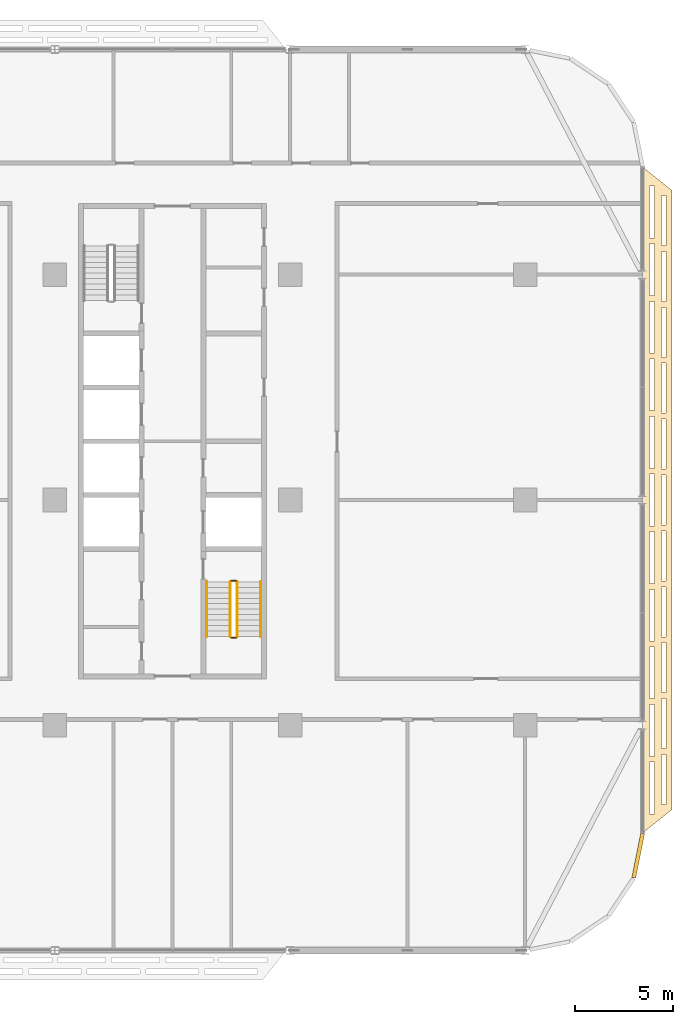
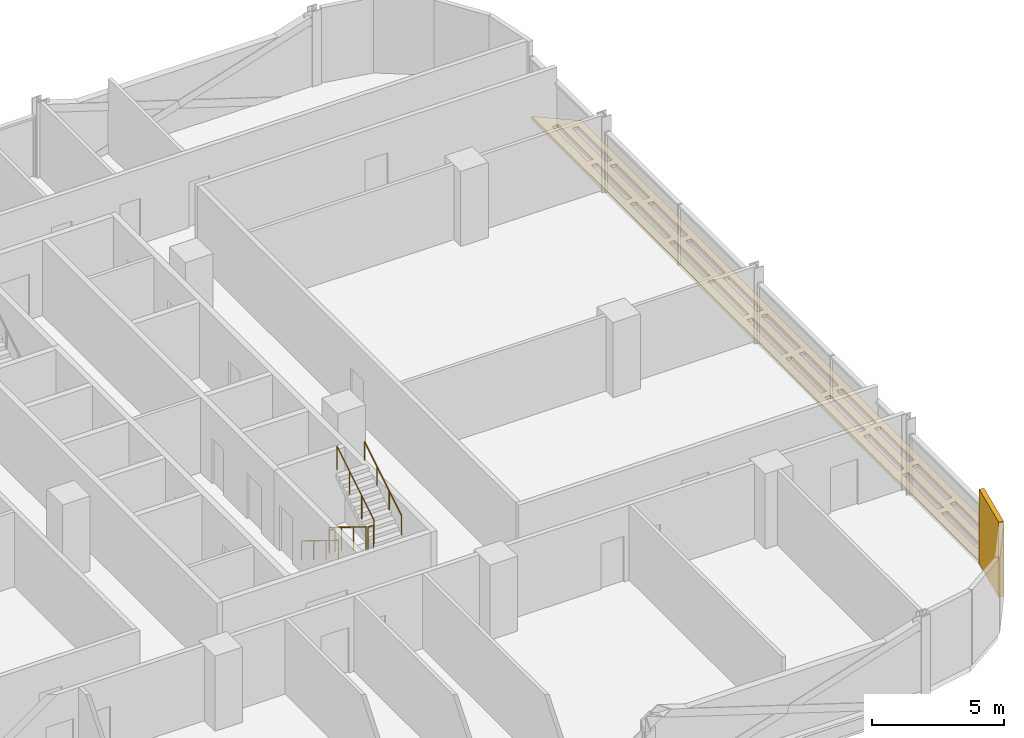
# One storey, part 26 of 27: 6 railings, 2 coverings.
"""IFC4 building model written with IfcOpenShell, lengths in metres."""

from ifc_helpers import new_model, si_unit, direction, frame, origin, origin_2d, place, context, subcontext, project, spatial, polyline, rectangle, circle, outline, extrude, material, layer, layer_set, type_object, element, save


model = new_model("IFC4")

# Units and contexts
model_context = context("Model", 3, precision=1e-05, world=origin(), true_north=direction((0.0, 1.0)))
body_context = subcontext(model_context, "Body", "Model", "MODEL_VIEW")
ifc_project = project(units=[si_unit("LENGTHUNIT", "METRE"), si_unit("AREAUNIT", "SQUARE_METRE"), si_unit("VOLUMEUNIT", "CUBIC_METRE"), si_unit("PLANEANGLEUNIT", "RADIAN"), si_unit("MASSUNIT", "GRAM", prefix="KILO")], contexts=[model_context])

# Site, building, storey
site_placement = place(None, origin())
site = spatial("IfcSite", under=ifc_project, at=site_placement, CompositionType="ELEMENT")
building_placement = place(site_placement, origin())
building = spatial("IfcBuilding", under=site, at=building_placement, Name="Mahtab Terrace Research Tower", CompositionType="ELEMENT")
storey_placement = place(building_placement, frame((0.0, 0.0, 178.199951171875)))
storey = spatial("IfcBuildingStorey", under=building, at=storey_placement, Name="L42", CompositionType="ELEMENT", Elevation=178.199951171875)

# Coverings
ifc_material_1 = material(Name="Black aluminium cladding panel", Category="aluminium")
ifc_layer_1 = layer(ifc_material_1, 0.199951171875)
ifc_layer_set_1 = layer_set([ifc_layer_1], Name="Black metal corner cladding 200")
covering_type_1 = type_object("IfcCoveringType", Name="Black metal corner cladding 200", PredefinedType="CLADDING", material=ifc_layer_set_1)
covering_1_placement = place(storey_placement, frame((47.771484375, -18.14794921875, 0.0), z_axis=(0.0, 0.0, 1.0), x_axis=(0.195212442692, 0.980760981187, 0.0)))
element("IfcCovering", 1, at=covering_1_placement, inside=storey, type_object=covering_type_1, Name="Corner cladding L42 33", PredefinedType="CLADDING", context=body_context, shape_type="SweptSolid", body=[
    extrude(rectangle(XDim=2.30126953125, YDim=0.199951171875, at=origin_2d()), origin(), (0.0, 0.0, 1.0), 3.4599609375),
])
ifc_material_2 = material(Name="Black anodised aluminium", Category="aluminium")
ifc_layer_2 = layer(ifc_material_2, 0.14990234375)
ifc_layer_set_2 = layer_set([ifc_layer_2], Name="Horizontal sunshade band")
covering_type_2 = type_object("IfcCoveringType", Name="Horizontal sunshade band", PredefinedType="CLADDING", material=ifc_layer_set_2)
covering_2_placement = place(storey_placement, frame((0.0, 0.0, -0.14990234375)))
element("IfcCovering", 2, at=covering_2_placement, inside=storey, type_object=covering_type_2, Name="Sunshade band L42 34", PredefinedType="CLADDING", context=body_context, shape_type="SweptSolid", body=[
    extrude(outline(polyline([(48.0, -17.0), (48.0, 17.0), (49.5, 15.800048828125), (49.5, -15.800048828125), (48.0, -17.0)]), holes=[polyline([(48.35009765625, -16.02001953125), (48.35009765625, -13.3798828125), (48.60009765625, -13.3798828125), (48.60009765625, -16.02001953125), (48.35009765625, -16.02001953125)]), polyline([(48.35009765625, -13.080078125), (48.35009765625, -10.43994140625), (48.60009765625, -10.43994140625), (48.60009765625, -13.080078125), (48.35009765625, -13.080078125)]), polyline([(48.35009765625, -10.139892578125), (48.35009765625, -7.5), (48.60009765625, -7.5), (48.60009765625, -10.139892578125), (48.35009765625, -10.139892578125)]), polyline([(48.35009765625, -7.199951171875), (48.35009765625, -4.56005859375), (48.60009765625, -4.56005859375), (48.60009765625, -7.199951171875), (48.35009765625, -7.199951171875)]), polyline([(48.35009765625, -4.260009765625), (48.35009765625, -1.6201171875), (48.60009765625, -1.6201171875), (48.60009765625, -4.260009765625), (48.35009765625, -4.260009765625)]), polyline([(48.35009765625, -1.320068359375), (48.35009765625, 1.320068359375), (48.60009765625, 1.320068359375), (48.60009765625, -1.320068359375), (48.35009765625, -1.320068359375)]), polyline([(48.35009765625, 1.6201171875), (48.35009765625, 4.260009765625), (48.60009765625, 4.260009765625), (48.60009765625, 1.6201171875), (48.35009765625, 1.6201171875)]), polyline([(48.35009765625, 4.56005859375), (48.35009765625, 7.199951171875), (48.60009765625, 7.199951171875), (48.60009765625, 4.56005859375), (48.35009765625, 4.56005859375)]), polyline([(48.35009765625, 7.5), (48.35009765625, 10.139892578125), (48.60009765625, 10.139892578125), (48.60009765625, 7.5), (48.35009765625, 7.5)]), polyline([(48.35009765625, 10.43994140625), (48.35009765625, 13.080078125), (48.60009765625, 13.080078125), (48.60009765625, 10.43994140625), (48.35009765625, 10.43994140625)]), polyline([(48.35009765625, 13.3798828125), (48.35009765625, 16.02001953125), (48.60009765625, 16.02001953125), (48.60009765625, 13.3798828125), (48.35009765625, 13.3798828125)]), polyline([(48.949951171875, -15.5400390625), (48.949951171875, -12.987060546875), (49.199951171875, -12.987060546875), (49.199951171875, -15.5400390625), (48.949951171875, -15.5400390625)]), polyline([(48.949951171875, -12.68701171875), (48.949951171875, -10.135009765625), (49.199951171875, -10.135009765625), (49.199951171875, -12.68701171875), (48.949951171875, -12.68701171875)]), polyline([(48.949951171875, -9.8349609375), (48.949951171875, -7.281982421875), (49.199951171875, -7.281982421875), (49.199951171875, -9.8349609375), (48.949951171875, -9.8349609375)]), polyline([(48.949951171875, -6.98193359375), (48.949951171875, -4.428955078125), (49.199951171875, -4.428955078125), (49.199951171875, -6.98193359375), (48.949951171875, -6.98193359375)]), polyline([(48.949951171875, -4.12890625), (48.949951171875, -1.575927734375), (49.199951171875, -1.575927734375), (49.199951171875, -4.12890625), (48.949951171875, -4.12890625)]), polyline([(48.949951171875, -1.27587890625), (48.949951171875, 1.27587890625), (49.199951171875, 1.27587890625), (49.199951171875, -1.27587890625), (48.949951171875, -1.27587890625)]), polyline([(48.949951171875, 1.575927734375), (48.949951171875, 4.12890625), (49.199951171875, 4.12890625), (49.199951171875, 1.575927734375), (48.949951171875, 1.575927734375)]), polyline([(48.949951171875, 4.428955078125), (48.949951171875, 6.98193359375), (49.199951171875, 6.98193359375), (49.199951171875, 4.428955078125), (48.949951171875, 4.428955078125)]), polyline([(48.949951171875, 7.281982421875), (48.949951171875, 9.8349609375), (49.199951171875, 9.8349609375), (49.199951171875, 7.281982421875), (48.949951171875, 7.281982421875)]), polyline([(48.949951171875, 10.135009765625), (48.949951171875, 12.68701171875), (49.199951171875, 12.68701171875), (49.199951171875, 10.135009765625), (48.949951171875, 10.135009765625)]), polyline([(48.949951171875, 12.987060546875), (48.949951171875, 15.5400390625), (49.199951171875, 15.5400390625), (49.199951171875, 12.987060546875), (48.949951171875, 12.987060546875)])]), origin(), (0.0, 0.0, 1.0), 0.14990234375),
])

# Railings
ifc_material_3 = material(Name="Stainless steel AISI 304", Category="steel")
railing_type_1 = type_object("IfcRailingType", Name="Stair guard 1100", PredefinedType="GUARDRAIL", material=ifc_material_3)
railing_1_placement = place(storey_placement, frame((26.949951171875, -4.175048828125, 0.1728515625)))
element("IfcRailing", 3, at=railing_1_placement, inside=storey, type_object=railing_type_1, Name="L42 ST4 stair guard 1", PredefinedType="GUARDRAIL", context=body_context, shape_type="SweptSolid", body=[
    extrude(circle(Radius=0.02392578125, at=origin_2d()), frame((0.0, 0.0, 1.076171875), z_axis=(0.0, -0.851089632645, 0.525020415988), x_axis=(1.0, 0.0, 0.0)), (0.0, 0.0, 1.0), 3.2900390625),
    extrude(circle(Radius=0.02099609375, at=origin_2d()), origin(), (0.0, 0.0, 1.0), 1.052001953125),
    extrude(circle(Radius=0.02099609375, at=origin_2d()), frame((0.0, -0.933349609375, 0.57568359375)), (0.0, 0.0, 1.0), 1.052001953125),
    extrude(circle(Radius=0.02099609375, at=origin_2d()), frame((0.0, -1.86669921875, 1.151611328125)), (0.0, 0.0, 1.0), 1.052001953125),
    extrude(circle(Radius=0.02099609375, at=origin_2d()), frame((0.0, -2.800048828125, 1.727294921875)), (0.0, 0.0, 1.0), 1.052001953125),
])
railing_2_placement = place(storey_placement, frame((27.0, -7.02490234375, 1.900146484375)))
element("IfcRailing", 4, at=railing_2_placement, inside=storey, type_object=railing_type_1, Name="L42 ST4 stair guard 2", PredefinedType="GUARDRAIL", context=body_context, shape_type="SweptSolid", body=[
    extrude(circle(Radius=0.02392578125, at=origin_2d()), frame((0.0, 0.0, 1.076171875), z_axis=(1.0, 0.0, 0.0), x_axis=(0.0, 1.0, 0.0)), (0.0, 0.0, 1.0), 0.25),
    extrude(circle(Radius=0.02099609375, at=origin_2d()), origin(), (0.0, 0.0, 1.0), 1.052001953125),
    extrude(circle(Radius=0.02099609375, at=origin_2d()), frame((0.25, 0.0, 0.0)), (0.0, 0.0, 1.0), 1.052001953125),
])
railing_3_placement = place(storey_placement, frame((27.300048828125, -6.97509765625, 2.07275390625)))
element("IfcRailing", 5, at=railing_3_placement, inside=storey, type_object=railing_type_1, Name="L42 ST4 stair guard 3", PredefinedType="GUARDRAIL", context=body_context, shape_type="SweptSolid", body=[
    extrude(circle(Radius=0.02392578125, at=origin_2d()), frame((0.0, 0.0, 1.076171875), z_axis=(0.0, 0.851089632645, 0.525020415988), x_axis=(-1.0, 0.0, 0.0)), (0.0, 0.0, 1.0), 3.2900390625),
    extrude(circle(Radius=0.02099609375, at=origin_2d()), origin(), (0.0, 0.0, 1.0), 1.052001953125),
    extrude(circle(Radius=0.02099609375, at=origin_2d()), frame((0.0, 0.933349609375, 0.57568359375)), (0.0, 0.0, 1.0), 1.052001953125),
    extrude(circle(Radius=0.02099609375, at=origin_2d()), frame((0.0, 1.86669921875, 1.151611328125)), (0.0, 0.0, 1.0), 1.052001953125),
    extrude(circle(Radius=0.02099609375, at=origin_2d()), frame((0.0, 2.800048828125, 1.727294921875)), (0.0, 0.0, 1.0), 1.052001953125),
])
railing_4_placement = place(storey_placement, frame((27.0, -4.125, 0.0)))
element("IfcRailing", 6, at=railing_4_placement, inside=storey, type_object=railing_type_1, Name="L42 ST4 stair guard 4", PredefinedType="GUARDRAIL", context=body_context, shape_type="SweptSolid", body=[
    extrude(circle(Radius=0.02392578125, at=origin_2d()), frame((0.0, 0.0, 1.076171875), z_axis=(1.0, 0.0, 0.0), x_axis=(0.0, 1.0, 0.0)), (0.0, 0.0, 1.0), 0.25),
    extrude(circle(Radius=0.02099609375, at=origin_2d()), origin(), (0.0, 0.0, 1.0), 1.052001953125),
    extrude(circle(Radius=0.02099609375, at=origin_2d()), frame((0.25, 0.0, 0.0)), (0.0, 0.0, 1.0), 1.052001953125),
])
railing_type_2 = type_object("IfcRailingType", Name="Stair handrail 900", PredefinedType="HANDRAIL", material=ifc_material_3)
railing_5_placement = place(storey_placement, frame((25.75, -4.175048828125, 0.1728515625)))
element("IfcRailing", 7, at=railing_5_placement, inside=storey, type_object=railing_type_2, Name="L42 ST4 stair handrail 1", PredefinedType="HANDRAIL", context=body_context, shape_type="SweptSolid", body=[
    extrude(circle(Radius=0.02392578125, at=origin_2d()), frame((0.0, 0.0, 0.8759765625), z_axis=(0.0, -0.851089632645, 0.525020415988), x_axis=(1.0, 0.0, 0.0)), (0.0, 0.0, 1.0), 3.2900390625),
    extrude(circle(Radius=0.02099609375, at=origin_2d()), origin(), (0.0, 0.0, 1.0), 0.851806640625),
    extrude(circle(Radius=0.02099609375, at=origin_2d()), frame((0.0, -0.933349609375, 0.57568359375)), (0.0, 0.0, 1.0), 0.851806640625),
    extrude(circle(Radius=0.02099609375, at=origin_2d()), frame((0.0, -1.86669921875, 1.151611328125)), (0.0, 0.0, 1.0), 0.851806640625),
    extrude(circle(Radius=0.02099609375, at=origin_2d()), frame((0.0, -2.800048828125, 1.727294921875)), (0.0, 0.0, 1.0), 0.851806640625),
])
railing_6_placement = place(storey_placement, frame((28.5, -6.97509765625, 2.07275390625)))
element("IfcRailing", 8, at=railing_6_placement, inside=storey, type_object=railing_type_2, Name="L42 ST4 stair handrail 2", PredefinedType="HANDRAIL", context=body_context, shape_type="SweptSolid", body=[
    extrude(circle(Radius=0.02392578125, at=origin_2d()), frame((0.0, 0.0, 0.8759765625), z_axis=(0.0, 0.851089632645, 0.525020415988), x_axis=(-1.0, 0.0, 0.0)), (0.0, 0.0, 1.0), 3.2900390625),
    extrude(circle(Radius=0.02099609375, at=origin_2d()), origin(), (0.0, 0.0, 1.0), 0.851806640625),
    extrude(circle(Radius=0.02099609375, at=origin_2d()), frame((0.0, 0.933349609375, 0.57568359375)), (0.0, 0.0, 1.0), 0.851806640625),
    extrude(circle(Radius=0.02099609375, at=origin_2d()), frame((0.0, 1.86669921875, 1.151611328125)), (0.0, 0.0, 1.0), 0.851806640625),
    extrude(circle(Radius=0.02099609375, at=origin_2d()), frame((0.0, 2.800048828125, 1.727294921875)), (0.0, 0.0, 1.0), 0.851806640625),
])

save(model, "model.ifc")
